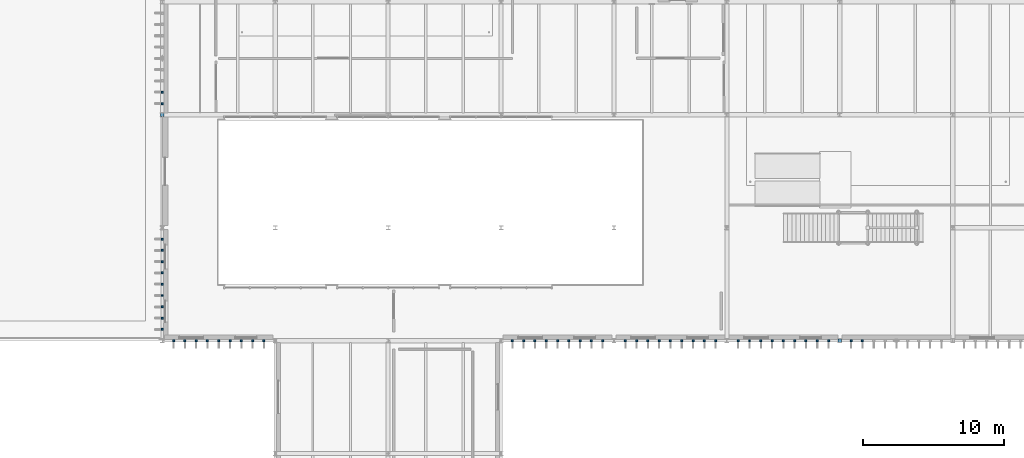
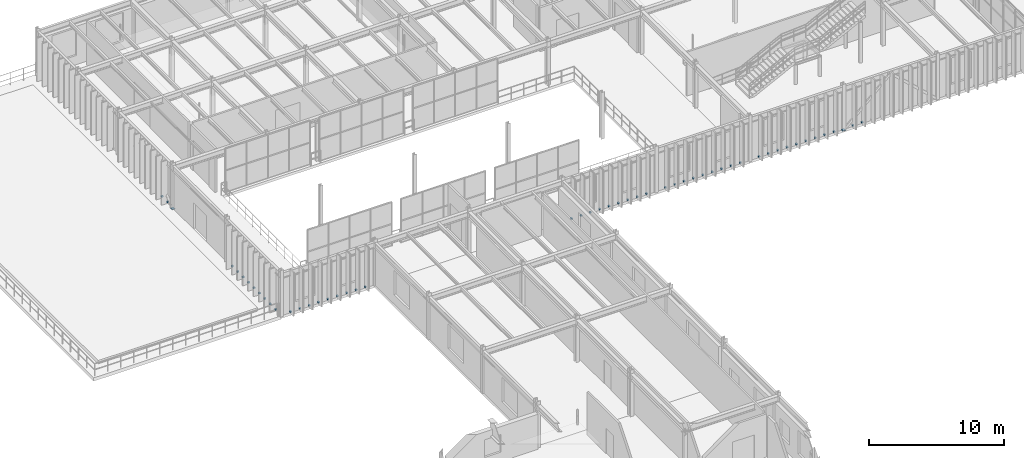
# One storey, part 105 of 122: 51 discrete accessories.
"""IFC4 building model written with IfcOpenShell, lengths in metres."""

from ifc_helpers import new_model, si_unit, direction, frame, origin, origin_2d, place, context, subcontext, project, spatial, rectangle, extrude, material, type_object, element, save


model = new_model("IFC4")

# Units and contexts
model_context = context("Model", 3, precision=1e-05, world=origin(), true_north=direction((0.0, 1.0)))
body_context = subcontext(model_context, "Body", "Model", "MODEL_VIEW")
ifc_project = project(units=[si_unit("LENGTHUNIT", "METRE"), si_unit("AREAUNIT", "SQUARE_METRE"), si_unit("VOLUMEUNIT", "CUBIC_METRE"), si_unit("PLANEANGLEUNIT", "RADIAN"), si_unit("MASSUNIT", "GRAM", prefix="KILO")], contexts=[model_context])

# Site, building, storey
site_placement = place(None, origin())
site = spatial("IfcSite", under=ifc_project, at=site_placement, CompositionType="ELEMENT")
building_placement = place(site_placement, origin())
building = spatial("IfcBuilding", under=site, at=building_placement, Name="Sundkrona Museum", CompositionType="ELEMENT")
storey_placement = place(building_placement, frame((0.0, 0.0, 5.39990234375)))
storey = spatial("IfcBuildingStorey", under=building, at=storey_placement, Name="L01", CompositionType="ELEMENT", Elevation=5.39990234375)

# Discrete accessories
ifc_material = material(Name="Stainless Steel EN 1.4404 Cleat", Category="steel")
discrete_accessory_type = type_object("IfcDiscreteAccessoryType", Name="BRK-FIN-01", PredefinedType="BRACKET", material=ifc_material)
for number, where, z_axis, x_axis, name in (
    (1, (64.0, 78.0, -0.012451171875), (0.0, 0.0, 1.0), (1.0, 0.0, 0.0), "Brace and Strut End Connection Plate BR-L01-020A-1"),
    (2, (16.0, 94.0, -0.012451171875), (0.0, 0.0, 1.0), (1.0, 0.0, 0.0), "Brace and Strut End Connection Plate BR-L01-022A-1"),
):
    element("IfcDiscreteAccessory", number, at=place(storey_placement, frame(where, z_axis=z_axis, x_axis=x_axis)), inside=storey, type_object=discrete_accessory_type, Name=name, PredefinedType="BRACKET", context=body_context, shape_type="SweptSolid", body=[
        extrude(rectangle(XDim=0.239990234375, YDim=0.239990234375, at=origin_2d()), origin(), (0.0, 0.0, 1.0), 0.02490234375),
    ])
for number, where, z_axis, x_axis, name in (
    (3, (16.800048828125, 78.0, 0.06005859375), (0.0, 0.0, 1.0), (1.0, 0.0, 0.0), "L01 Fin Bracket S-001"),
    (4, (17.60009765625, 78.0, 0.06005859375), (0.0, 0.0, 1.0), (1.0, 0.0, 0.0), "L01 Fin Bracket S-002"),
    (5, (18.39990234375, 78.0, 0.06005859375), (0.0, 0.0, 1.0), (1.0, 0.0, 0.0), "L01 Fin Bracket S-003"),
    (6, (19.199951171875, 78.0, 0.06005859375), (0.0, 0.0, 1.0), (1.0, 0.0, 0.0), "L01 Fin Bracket S-004"),
    (7, (20.0, 78.0, 0.06005859375), (0.0, 0.0, 1.0), (1.0, 0.0, 0.0), "L01 Fin Bracket S-005"),
    (8, (20.800048828125, 78.0, 0.06005859375), (0.0, 0.0, 1.0), (1.0, 0.0, 0.0), "L01 Fin Bracket S-006"),
    (9, (21.60009765625, 78.0, 0.06005859375), (0.0, 0.0, 1.0), (1.0, 0.0, 0.0), "L01 Fin Bracket S-007"),
    (10, (22.39990234375, 78.0, 0.06005859375), (0.0, 0.0, 1.0), (1.0, 0.0, 0.0), "L01 Fin Bracket S-008"),
    (11, (23.199951171875, 78.0, 0.06005859375), (0.0, 0.0, 1.0), (1.0, 0.0, 0.0), "L01 Fin Bracket S-009"),
    (12, (40.800048828125, 78.0, 0.06005859375), (0.0, 0.0, 1.0), (1.0, 0.0, 0.0), "L01 Fin Bracket S-010"),
    (13, (41.60009765625, 78.0, 0.06005859375), (0.0, 0.0, 1.0), (1.0, 0.0, 0.0), "L01 Fin Bracket S-011"),
    (14, (42.39990234375, 78.0, 0.06005859375), (0.0, 0.0, 1.0), (1.0, 0.0, 0.0), "L01 Fin Bracket S-012"),
    (15, (43.199951171875, 78.0, 0.06005859375), (0.0, 0.0, 1.0), (1.0, 0.0, 0.0), "L01 Fin Bracket S-013"),
    (16, (44.0, 78.0, 0.06005859375), (0.0, 0.0, 1.0), (1.0, 0.0, 0.0), "L01 Fin Bracket S-014"),
    (17, (44.800048828125, 78.0, 0.06005859375), (0.0, 0.0, 1.0), (1.0, 0.0, 0.0), "L01 Fin Bracket S-015"),
    (18, (45.60009765625, 78.0, 0.06005859375), (0.0, 0.0, 1.0), (1.0, 0.0, 0.0), "L01 Fin Bracket S-016"),
    (19, (46.39990234375, 78.0, 0.06005859375), (0.0, 0.0, 1.0), (1.0, 0.0, 0.0), "L01 Fin Bracket S-017"),
    (20, (47.199951171875, 78.0, 0.06005859375), (0.0, 0.0, 1.0), (1.0, 0.0, 0.0), "L01 Fin Bracket S-018"),
    (21, (48.800048828125, 78.0, 0.06005859375), (0.0, 0.0, 1.0), (1.0, 0.0, 0.0), "L01 Fin Bracket S-019"),
    (22, (49.60009765625, 78.0, 0.06005859375), (0.0, 0.0, 1.0), (1.0, 0.0, 0.0), "L01 Fin Bracket S-020"),
    (23, (50.39990234375, 78.0, 0.06005859375), (0.0, 0.0, 1.0), (1.0, 0.0, 0.0), "L01 Fin Bracket S-021"),
    (24, (51.199951171875, 78.0, 0.06005859375), (0.0, 0.0, 1.0), (1.0, 0.0, 0.0), "L01 Fin Bracket S-022"),
    (25, (52.0, 78.0, 0.06005859375), (0.0, 0.0, 1.0), (1.0, 0.0, 0.0), "L01 Fin Bracket S-023"),
    (26, (52.800048828125, 78.0, 0.06005859375), (0.0, 0.0, 1.0), (1.0, 0.0, 0.0), "L01 Fin Bracket S-024"),
    (27, (53.60009765625, 78.0, 0.06005859375), (0.0, 0.0, 1.0), (1.0, 0.0, 0.0), "L01 Fin Bracket S-025"),
    (28, (54.39990234375, 78.0, 0.06005859375), (0.0, 0.0, 1.0), (1.0, 0.0, 0.0), "L01 Fin Bracket S-026"),
    (29, (55.199951171875, 78.0, 0.06005859375), (0.0, 0.0, 1.0), (1.0, 0.0, 0.0), "L01 Fin Bracket S-027"),
    (30, (56.800048828125, 78.0, 0.06005859375), (0.0, 0.0, 1.0), (1.0, 0.0, 0.0), "L01 Fin Bracket S-028"),
    (31, (57.60009765625, 78.0, 0.06005859375), (0.0, 0.0, 1.0), (1.0, 0.0, 0.0), "L01 Fin Bracket S-029"),
    (32, (58.39990234375, 78.0, 0.06005859375), (0.0, 0.0, 1.0), (1.0, 0.0, 0.0), "L01 Fin Bracket S-030"),
    (33, (59.199951171875, 78.0, 0.06005859375), (0.0, 0.0, 1.0), (1.0, 0.0, 0.0), "L01 Fin Bracket S-031"),
    (34, (60.0, 78.0, 0.06005859375), (0.0, 0.0, 1.0), (1.0, 0.0, 0.0), "L01 Fin Bracket S-032"),
    (35, (60.800048828125, 78.0, 0.06005859375), (0.0, 0.0, 1.0), (1.0, 0.0, 0.0), "L01 Fin Bracket S-033"),
    (36, (61.60009765625, 78.0, 0.06005859375), (0.0, 0.0, 1.0), (1.0, 0.0, 0.0), "L01 Fin Bracket S-034"),
    (37, (62.39990234375, 78.0, 0.06005859375), (0.0, 0.0, 1.0), (1.0, 0.0, 0.0), "L01 Fin Bracket S-035"),
    (38, (63.199951171875, 78.0, 0.06005859375), (0.0, 0.0, 1.0), (1.0, 0.0, 0.0), "L01 Fin Bracket S-036"),
    (39, (64.800048828125, 78.0, 0.06005859375), (0.0, 0.0, 1.0), (1.0, 0.0, 0.0), "L01 Fin Bracket S-037"),
    (40, (65.60009765625, 78.0, 0.06005859375), (0.0, 0.0, 1.0), (1.0, 0.0, 0.0), "L01 Fin Bracket S-038"),
):
    element("IfcDiscreteAccessory", number, at=place(storey_placement, frame(where, z_axis=z_axis, x_axis=x_axis)), inside=storey, type_object=discrete_accessory_type, Name=name, PredefinedType="BRACKET", context=body_context, shape_type="SweptSolid", body=[
        extrude(rectangle(XDim=0.139892578125, YDim=0.159912109375, at=origin_2d()), origin(), (0.0, 0.0, 1.0), 0.1201171875),
    ])
for number, where, z_axis, x_axis, name in (
    (41, (16.0, 78.800048828125, 0.06005859375), (0.0, 0.0, 1.0), (1.0, 0.0, 0.0), "L01 Fin Bracket W-145"),
    (42, (16.0, 79.60009765625, 0.06005859375), (0.0, 0.0, 1.0), (1.0, 0.0, 0.0), "L01 Fin Bracket W-146"),
    (43, (16.0, 80.39990234375, 0.06005859375), (0.0, 0.0, 1.0), (1.0, 0.0, 0.0), "L01 Fin Bracket W-147"),
    (44, (16.0, 81.199951171875, 0.06005859375), (0.0, 0.0, 1.0), (1.0, 0.0, 0.0), "L01 Fin Bracket W-148"),
    (45, (16.0, 82.0, 0.06005859375), (0.0, 0.0, 1.0), (1.0, 0.0, 0.0), "L01 Fin Bracket W-149"),
    (46, (16.0, 82.800048828125, 0.06005859375), (0.0, 0.0, 1.0), (1.0, 0.0, 0.0), "L01 Fin Bracket W-150"),
    (47, (16.0, 83.60009765625, 0.06005859375), (0.0, 0.0, 1.0), (1.0, 0.0, 0.0), "L01 Fin Bracket W-151"),
    (48, (16.0, 84.39990234375, 0.06005859375), (0.0, 0.0, 1.0), (1.0, 0.0, 0.0), "L01 Fin Bracket W-152"),
    (49, (16.0, 85.199951171875, 0.06005859375), (0.0, 0.0, 1.0), (1.0, 0.0, 0.0), "L01 Fin Bracket W-153"),
    (50, (16.0, 94.800048828125, 0.06005859375), (0.0, 0.0, 1.0), (1.0, 0.0, 0.0), "L01 Fin Bracket W-154"),
    (51, (16.0, 95.60009765625, 0.06005859375), (0.0, 0.0, 1.0), (1.0, 0.0, 0.0), "L01 Fin Bracket W-155"),
):
    element("IfcDiscreteAccessory", number, at=place(storey_placement, frame(where, z_axis=z_axis, x_axis=x_axis)), inside=storey, type_object=discrete_accessory_type, Name=name, PredefinedType="BRACKET", context=body_context, shape_type="SweptSolid", body=[
        extrude(rectangle(XDim=0.159912109375, YDim=0.139892578125, at=origin_2d()), origin(), (0.0, 0.0, 1.0), 0.1201171875),
    ])

save(model, "model.ifc")
